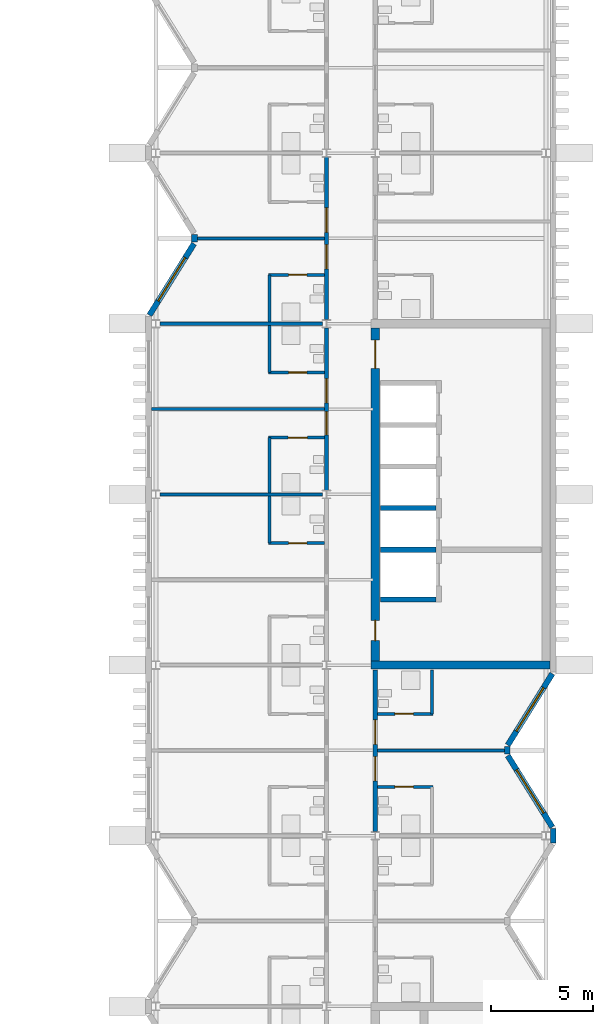
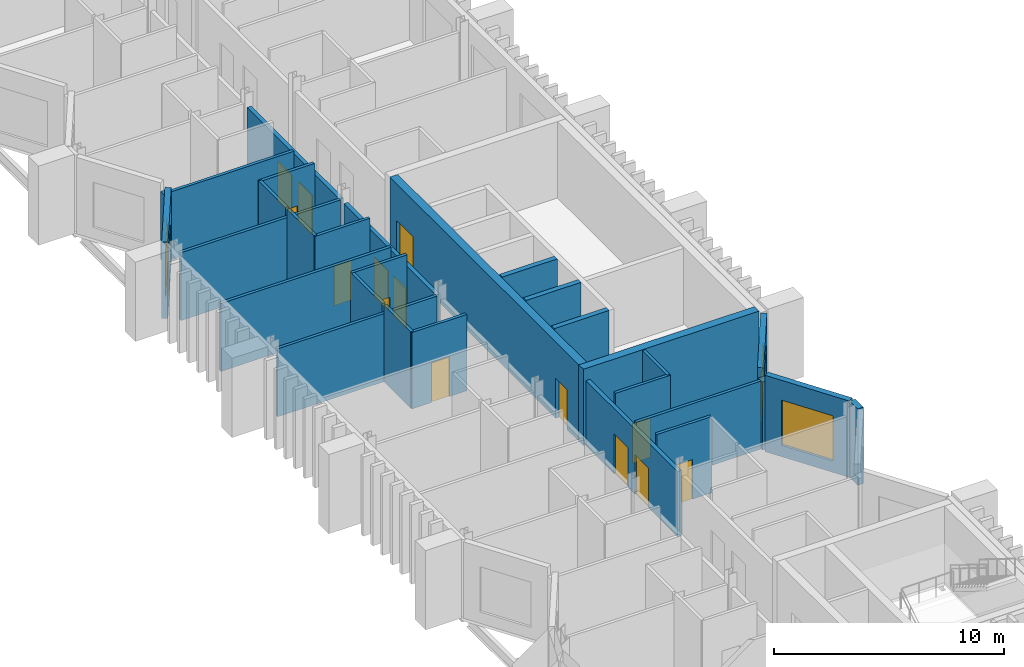
# One storey, part 11 of 17: 30 walls, 14 doors, 3 windows, 17 openings.
"""IFC4 building model written with IfcOpenShell, lengths in metres."""

from ifc_helpers import new_model, si_unit, direction, frame, frame_2d, origin, place, context, subcontext, project, spatial, rectangle, extrude, material, layer, layer_set, type_object, element, fill, save


model = new_model("IFC4")

# Units and contexts
model_context = context("Model", 3, precision=1e-05, world=origin(), true_north=direction((0.0, 1.0)))
body_context = subcontext(model_context, "Body", "Model", "MODEL_VIEW")
ifc_project = project(units=[si_unit("LENGTHUNIT", "METRE"), si_unit("AREAUNIT", "SQUARE_METRE"), si_unit("VOLUMEUNIT", "CUBIC_METRE"), si_unit("PLANEANGLEUNIT", "RADIAN"), si_unit("MASSUNIT", "GRAM", prefix="KILO")], contexts=[model_context])

# Site, building, storey
site_placement = place(None, origin())
site = spatial("IfcSite", under=ifc_project, at=site_placement, CompositionType="ELEMENT")
building_placement = place(site_placement, origin())
building = spatial("IfcBuilding", under=site, at=building_placement, Name="Cresset Court Congress Hotel", CompositionType="ELEMENT")
storey_placement = place(building_placement, frame((0.0, 0.0, 31.199951171875)))
storey = spatial("IfcBuildingStorey", under=building, at=storey_placement, Name="L07", CompositionType="ELEMENT", Elevation=31.199951171875)

# Wall, openings, doors
ifc_material_1 = material(Name="Gypsum board partition")
ifc_layer_1 = layer(ifc_material_1, 0.199951171875)
ifc_layer_set_1 = layer_set([ifc_layer_1], Name="Corridor wall 200")
wall_type_1 = type_object("IfcWallType", Name="Corridor wall 200", PredefinedType="PARTITIONING", material=ifc_layer_set_1)
wall_1_placement = place(storey_placement, frame((165.60009765625, 33.800048828125, 0.0), z_axis=(0.0, 0.0, 1.0), x_axis=(0.0, 1.0, 0.0)))
wall_1 = element("IfcWall", 1, at=wall_1_placement, inside=storey, type_object=wall_type_1, Name="A.wl.L07.074", PredefinedType="PARTITIONING", context=body_context, shape_type="SweptSolid", body=[
    extrude(rectangle(XDim=8.0, YDim=0.199951171875, at=frame_2d((4.0, 0.0))), origin(), (0.0, 0.0, 1.0), 3.449951171875),
])
opening_1_placement = place(wall_1_placement, frame((2.72509765625, 0.0, 0.0)))
opening_1 = element("IfcOpeningElement", 2, at=opening_1_placement, cuts=wall_1, Name="Opening DA-07-18", PredefinedType="OPENING", context=body_context, shape_type="SweptSolid", body=[
    extrude(rectangle(XDim=1.14990234375, YDim=2.10009765625, at=frame_2d((0.574951171875, 1.050048828125))), frame((0.0, 0.10986328125, 0.0), z_axis=(0.0, -1.0, 0.0), x_axis=(1.0, 0.0, 0.0)), (0.0, 0.0, 1.0), 0.219970703125),
])
opening_2_placement = place(wall_1_placement, frame((4.300048828125, 0.0, 0.0)))
opening_2 = element("IfcOpeningElement", 3, at=opening_2_placement, cuts=wall_1, Name="Opening DA-07-20", PredefinedType="OPENING", context=body_context, shape_type="SweptSolid", body=[
    extrude(rectangle(XDim=1.199951171875, YDim=2.10009765625, at=frame_2d((0.60009765625, 1.050048828125))), frame((0.0, 0.10986328125, 0.0), z_axis=(0.0, -1.0, 0.0), x_axis=(1.0, 0.0, 0.0)), (0.0, 0.0, 1.0), 0.219970703125),
])
ifc_material_2 = material(Name="timber", Category="wood")
door_type_1 = type_object("IfcDoorType", Name="Accessible guest-room entry door 1150x2100 FD30S", OperationType="SINGLE_SWING_LEFT", PredefinedType="DOOR", material=ifc_material_2)
door_1_placement = place(opening_1_placement, origin())
door_1 = element("IfcDoor", 4, at=door_1_placement, inside=storey, type_object=door_type_1, Name="Door DA-07-18", OperationType="SINGLE_SWING_RIGHT", OverallHeight=2.10009765625, OverallWidth=1.14990234375, PredefinedType="DOOR", context=body_context, shape_type="SweptSolid", body=[
    extrude(rectangle(XDim=1.14990234375, YDim=2.10009765625, at=frame_2d((0.574951171875, 1.050048828125))), frame((0.0, 0.02490234375, 0.0), z_axis=(0.0, -1.0, 0.0), x_axis=(1.0, 0.0, 0.0)), (0.0, 0.0, 1.0), 0.050048828125),
])
fill(opening_1, door_1)
ifc_material_3 = material(Name="timber", Category="wood")
door_type_2 = type_object("IfcDoorType", Name="Guest-room entry door 1200x2100 FD30S", OperationType="SINGLE_SWING_LEFT", PredefinedType="DOOR", material=ifc_material_3)
door_2_placement = place(opening_2_placement, origin())
door_2 = element("IfcDoor", 5, at=door_2_placement, inside=storey, type_object=door_type_2, Name="Door DA-07-20", OperationType="SINGLE_SWING_LEFT", OverallHeight=2.10009765625, OverallWidth=1.199951171875, PredefinedType="DOOR", context=body_context, shape_type="SweptSolid", body=[
    extrude(rectangle(XDim=1.199951171875, YDim=2.10009765625, at=frame_2d((0.60009765625, 1.050048828125))), frame((0.0, 0.02490234375, 0.0), z_axis=(0.0, -1.0, 0.0), x_axis=(1.0, 0.0, 0.0)), (0.0, 0.0, 1.0), 0.050048828125),
])
fill(opening_2, door_2)

wall_2_placement = place(storey_placement, frame((165.60009765625, 42.199951171875, 0.0), z_axis=(0.0, 0.0, 1.0), x_axis=(0.0, 1.0, 0.0)))
wall_2 = element("IfcWall", 6, at=wall_2_placement, inside=storey, type_object=wall_type_1, Name="A.wl.L07.075", PredefinedType="PARTITIONING", context=body_context, shape_type="SweptSolid", body=[
    extrude(rectangle(XDim=8.0, YDim=0.199951171875, at=frame_2d((4.0, 0.0))), origin(), (0.0, 0.0, 1.0), 3.449951171875),
])
opening_3_placement = place(wall_2_placement, frame((2.5, 0.0, 0.0)))
opening_3 = element("IfcOpeningElement", 7, at=opening_3_placement, cuts=wall_2, Name="Opening DA-07-22", PredefinedType="OPENING", context=body_context, shape_type="SweptSolid", body=[
    extrude(rectangle(XDim=1.199951171875, YDim=2.10009765625, at=frame_2d((0.60009765625, 1.050048828125))), frame((0.0, 0.10986328125, 0.0), z_axis=(0.0, -1.0, 0.0), x_axis=(1.0, 0.0, 0.0)), (0.0, 0.0, 1.0), 0.219970703125),
])
opening_4_placement = place(wall_2_placement, frame((4.300048828125, 0.0, 0.0)))
opening_4 = element("IfcOpeningElement", 8, at=opening_4_placement, cuts=wall_2, Name="Opening DA-07-24", PredefinedType="OPENING", context=body_context, shape_type="SweptSolid", body=[
    extrude(rectangle(XDim=1.199951171875, YDim=2.10009765625, at=frame_2d((0.60009765625, 1.050048828125))), frame((0.0, 0.10986328125, 0.0), z_axis=(0.0, -1.0, 0.0), x_axis=(1.0, 0.0, 0.0)), (0.0, 0.0, 1.0), 0.219970703125),
])
door_3_placement = place(opening_3_placement, origin())
door_3 = element("IfcDoor", 9, at=door_3_placement, inside=storey, type_object=door_type_2, Name="Door DA-07-22", OperationType="SINGLE_SWING_RIGHT", OverallHeight=2.10009765625, OverallWidth=1.199951171875, PredefinedType="DOOR", context=body_context, shape_type="SweptSolid", body=[
    extrude(rectangle(XDim=1.199951171875, YDim=2.10009765625, at=frame_2d((0.60009765625, 1.050048828125))), frame((0.0, 0.02490234375, 0.0), z_axis=(0.0, -1.0, 0.0), x_axis=(1.0, 0.0, 0.0)), (0.0, 0.0, 1.0), 0.050048828125),
])
fill(opening_3, door_3)
door_4_placement = place(opening_4_placement, origin())
door_4 = element("IfcDoor", 10, at=door_4_placement, inside=storey, type_object=door_type_2, Name="Door DA-07-24", OperationType="SINGLE_SWING_LEFT", OverallHeight=2.10009765625, OverallWidth=1.199951171875, PredefinedType="DOOR", context=body_context, shape_type="SweptSolid", body=[
    extrude(rectangle(XDim=1.199951171875, YDim=2.10009765625, at=frame_2d((0.60009765625, 1.050048828125))), frame((0.0, 0.02490234375, 0.0), z_axis=(0.0, -1.0, 0.0), x_axis=(1.0, 0.0, 0.0)), (0.0, 0.0, 1.0), 0.050048828125),
])
fill(opening_4, door_4)

wall_3_placement = place(storey_placement, frame((168.0, 17.0, 0.0), z_axis=(0.0, 0.0, 1.0), x_axis=(0.0, 1.0, 0.0)))
wall_3 = element("IfcWall", 11, at=wall_3_placement, inside=storey, type_object=wall_type_1, Name="A.wl.L07.079", PredefinedType="PARTITIONING", context=body_context, shape_type="SweptSolid", body=[
    extrude(rectangle(XDim=7.949951171875, YDim=0.199951171875, at=frame_2d((3.97509765625, 0.0))), origin(), (0.0, 0.0, 1.0), 3.449951171875),
])
opening_5_placement = place(wall_3_placement, frame((2.5, 0.0, 0.0)))
opening_5 = element("IfcOpeningElement", 12, at=opening_5_placement, cuts=wall_3, Name="Opening DA-07-38", PredefinedType="OPENING", context=body_context, shape_type="SweptSolid", body=[
    extrude(rectangle(XDim=1.199951171875, YDim=2.10009765625, at=frame_2d((0.60009765625, 1.050048828125))), frame((0.0, 0.10986328125, 0.0), z_axis=(0.0, -1.0, 0.0), x_axis=(1.0, 0.0, 0.0)), (0.0, 0.0, 1.0), 0.219970703125),
])
opening_6_placement = place(wall_3_placement, frame((4.300048828125, 0.0, 0.0)))
opening_6 = element("IfcOpeningElement", 13, at=opening_6_placement, cuts=wall_3, Name="Opening DA-07-40", PredefinedType="OPENING", context=body_context, shape_type="SweptSolid", body=[
    extrude(rectangle(XDim=1.199951171875, YDim=2.10009765625, at=frame_2d((0.60009765625, 1.050048828125))), frame((0.0, 0.10986328125, 0.0), z_axis=(0.0, -1.0, 0.0), x_axis=(1.0, 0.0, 0.0)), (0.0, 0.0, 1.0), 0.219970703125),
])
door_5_placement = place(opening_5_placement, origin())
door_5 = element("IfcDoor", 14, at=door_5_placement, inside=storey, type_object=door_type_2, Name="Door DA-07-38", OperationType="SINGLE_SWING_RIGHT", OverallHeight=2.10009765625, OverallWidth=1.199951171875, PredefinedType="DOOR", context=body_context, shape_type="SweptSolid", body=[
    extrude(rectangle(XDim=1.199951171875, YDim=2.10009765625, at=frame_2d((0.60009765625, 1.050048828125))), frame((0.0, 0.02490234375, 0.0), z_axis=(0.0, -1.0, 0.0), x_axis=(1.0, 0.0, 0.0)), (0.0, 0.0, 1.0), 0.050048828125),
])
fill(opening_5, door_5)
door_6_placement = place(opening_6_placement, origin())
door_6 = element("IfcDoor", 15, at=door_6_placement, inside=storey, type_object=door_type_2, Name="Door DA-07-40", OperationType="SINGLE_SWING_LEFT", OverallHeight=2.10009765625, OverallWidth=1.199951171875, PredefinedType="DOOR", context=body_context, shape_type="SweptSolid", body=[
    extrude(rectangle(XDim=1.199951171875, YDim=2.10009765625, at=frame_2d((0.60009765625, 1.050048828125))), frame((0.0, 0.02490234375, 0.0), z_axis=(0.0, -1.0, 0.0), x_axis=(1.0, 0.0, 0.0)), (0.0, 0.0, 1.0), 0.050048828125),
])
fill(opening_6, door_6)

# Wall
ifc_material_4 = material(Name="Gypsum board partition")
ifc_layer_2 = layer(ifc_material_4, 0.14990234375)
ifc_layer_set_2 = layer_set([ifc_layer_2], Name="En-suite wall 150")
wall_type_2 = type_object("IfcWallType", Name="En-suite wall 150", PredefinedType="PARTITIONING", material=ifc_layer_set_2)
wall_4_placement = place(storey_placement, frame((162.800048828125, 31.199951171875, 0.0), z_axis=(0.0, 0.0, 1.0), x_axis=(0.0, 1.0, 0.0)))
element("IfcWall", 16, at=wall_4_placement, inside=storey, type_object=wall_type_2, Name="A.wl.L07.015", PredefinedType="PARTITIONING", context=body_context, shape_type="SweptSolid", body=[
    extrude(rectangle(XDim=2.324951171875, YDim=0.14990234375, at=frame_2d((1.16259765625, 0.0))), origin(), (0.0, 0.0, 1.0), 4.050048828125),
])

# Wall, opening, door
wall_5_placement = place(storey_placement, frame((162.75, 31.199951171875, 0.0), z_axis=(0.0, 0.0, 1.0), x_axis=(1.0, 0.0, 0.0)))
wall_5 = element("IfcWall", 17, at=wall_5_placement, inside=storey, type_object=wall_type_2, Name="A.wl.L07.016", PredefinedType="PARTITIONING", context=body_context, shape_type="SweptSolid", body=[
    extrude(rectangle(XDim=2.75, YDim=0.14990234375, at=frame_2d((1.375, 0.0))), origin(), (0.0, 0.0, 1.0), 4.050048828125),
])
opening_7_placement = place(wall_5_placement, frame((0.97998046875, 0.0, 0.0)))
opening_7 = element("IfcOpeningElement", 18, at=opening_7_placement, cuts=wall_5, Name="Opening DA-07-15", PredefinedType="OPENING", context=body_context, shape_type="SweptSolid", body=[
    extrude(rectangle(XDim=0.89990234375, YDim=2.10009765625, at=frame_2d((0.449951171875, 1.050048828125))), frame((0.0, 0.0849609375, 0.0), z_axis=(0.0, -1.0, 0.0), x_axis=(1.0, 0.0, 0.0)), (0.0, 0.0, 1.0), 0.169921875),
])
ifc_material_5 = material(Name="timber", Category="wood")
door_type_3 = type_object("IfcDoorType", Name="En-suite door 900x2100", OperationType="SINGLE_SWING_LEFT", PredefinedType="DOOR", material=ifc_material_5)
door_7_placement = place(opening_7_placement, origin())
door_7 = element("IfcDoor", 19, at=door_7_placement, inside=storey, type_object=door_type_3, Name="Door DA-07-15", OperationType="SINGLE_SWING_LEFT", OverallHeight=2.10009765625, OverallWidth=0.89990234375, PredefinedType="DOOR", context=body_context, shape_type="SweptSolid", body=[
    extrude(rectangle(XDim=0.89990234375, YDim=2.10009765625, at=frame_2d((0.449951171875, 1.050048828125))), frame((0.0, 0.02490234375, 0.0), z_axis=(0.0, -1.0, 0.0), x_axis=(1.0, 0.0, 0.0)), (0.0, 0.0, 1.0), 0.050048828125),
])
fill(opening_7, door_7)

# Wall
wall_6_placement = place(storey_placement, frame((162.800048828125, 33.675048828125, 0.0), z_axis=(0.0, 0.0, 1.0), x_axis=(0.0, 1.0, 0.0)))
element("IfcWall", 20, at=wall_6_placement, inside=storey, type_object=wall_type_2, Name="A.wl.L07.017", PredefinedType="PARTITIONING", context=body_context, shape_type="SweptSolid", body=[
    extrude(rectangle(XDim=2.724853515625, YDim=0.14990234375, at=frame_2d((1.3623046875, 0.0))), origin(), (0.0, 0.0, 1.0), 4.050048828125),
])

# Wall, opening, door
wall_7_placement = place(storey_placement, frame((162.75, 36.39990234375, 0.0), z_axis=(0.0, 0.0, 1.0), x_axis=(1.0, 0.0, 0.0)))
wall_7 = element("IfcWall", 21, at=wall_7_placement, inside=storey, type_object=wall_type_2, Name="A.wl.L07.018", PredefinedType="PARTITIONING", context=body_context, shape_type="SweptSolid", body=[
    extrude(rectangle(XDim=2.75, YDim=0.14990234375, at=frame_2d((1.375, 0.0))), origin(), (0.0, 0.0, 1.0), 4.050048828125),
])
opening_8_placement = place(wall_7_placement, frame((0.955078125, 0.0, 0.0)))
opening_8 = element("IfcOpeningElement", 22, at=opening_8_placement, cuts=wall_7, Name="Opening DA-07-17", PredefinedType="OPENING", context=body_context, shape_type="SweptSolid", body=[
    extrude(rectangle(XDim=0.949951171875, YDim=2.10009765625, at=frame_2d((0.47509765625, 1.050048828125))), frame((0.0, 0.0849609375, 0.0), z_axis=(0.0, -1.0, 0.0), x_axis=(1.0, 0.0, 0.0)), (0.0, 0.0, 1.0), 0.169921875),
])
ifc_material_6 = material(Name="timber", Category="wood")
door_type_4 = type_object("IfcDoorType", Name="Accessible en-suite door 950x2100", OperationType="SINGLE_SWING_LEFT", PredefinedType="DOOR", material=ifc_material_6)
door_8_placement = place(opening_8_placement, origin())
door_8 = element("IfcDoor", 23, at=door_8_placement, inside=storey, type_object=door_type_4, Name="Door DA-07-17", OperationType="SINGLE_SWING_RIGHT", OverallHeight=2.10009765625, OverallWidth=0.949951171875, PredefinedType="DOOR", context=body_context, shape_type="SweptSolid", body=[
    extrude(rectangle(XDim=0.949951171875, YDim=2.10009765625, at=frame_2d((0.47509765625, 1.050048828125))), frame((0.0, 0.02490234375, 0.0), z_axis=(0.0, -1.0, 0.0), x_axis=(1.0, 0.0, 0.0)), (0.0, 0.0, 1.0), 0.050048828125),
])
fill(opening_8, door_8)

# Wall
wall_8_placement = place(storey_placement, frame((162.800048828125, 39.60009765625, 0.0), z_axis=(0.0, 0.0, 1.0), x_axis=(0.0, 1.0, 0.0)))
element("IfcWall", 24, at=wall_8_placement, inside=storey, type_object=wall_type_2, Name="A.wl.L07.019", PredefinedType="PARTITIONING", context=body_context, shape_type="SweptSolid", body=[
    extrude(rectangle(XDim=2.324951171875, YDim=0.14990234375, at=frame_2d((1.16259765625, 0.0))), origin(), (0.0, 0.0, 1.0), 4.050048828125),
])

# Wall, opening, door
wall_9_placement = place(storey_placement, frame((162.75, 39.60009765625, 0.0), z_axis=(0.0, 0.0, 1.0), x_axis=(1.0, 0.0, 0.0)))
wall_9 = element("IfcWall", 25, at=wall_9_placement, inside=storey, type_object=wall_type_2, Name="A.wl.L07.020", PredefinedType="PARTITIONING", context=body_context, shape_type="SweptSolid", body=[
    extrude(rectangle(XDim=2.75, YDim=0.14990234375, at=frame_2d((1.375, 0.0))), origin(), (0.0, 0.0, 1.0), 4.050048828125),
])
opening_9_placement = place(wall_9_placement, frame((0.97998046875, 0.0, 0.0)))
opening_9 = element("IfcOpeningElement", 26, at=opening_9_placement, cuts=wall_9, Name="Opening DA-07-19", PredefinedType="OPENING", context=body_context, shape_type="SweptSolid", body=[
    extrude(rectangle(XDim=0.89990234375, YDim=2.10009765625, at=frame_2d((0.449951171875, 1.050048828125))), frame((0.0, 0.0849609375, 0.0), z_axis=(0.0, -1.0, 0.0), x_axis=(1.0, 0.0, 0.0)), (0.0, 0.0, 1.0), 0.169921875),
])
door_9_placement = place(opening_9_placement, origin())
door_9 = element("IfcDoor", 27, at=door_9_placement, inside=storey, type_object=door_type_3, Name="Door DA-07-19", OperationType="SINGLE_SWING_LEFT", OverallHeight=2.10009765625, OverallWidth=0.89990234375, PredefinedType="DOOR", context=body_context, shape_type="SweptSolid", body=[
    extrude(rectangle(XDim=0.89990234375, YDim=2.10009765625, at=frame_2d((0.449951171875, 1.050048828125))), frame((0.0, 0.02490234375, 0.0), z_axis=(0.0, -1.0, 0.0), x_axis=(1.0, 0.0, 0.0)), (0.0, 0.0, 1.0), 0.050048828125),
])
fill(opening_9, door_9)

# Wall
wall_10_placement = place(storey_placement, frame((162.800048828125, 42.074951171875, 0.0), z_axis=(0.0, 0.0, 1.0), x_axis=(0.0, 1.0, 0.0)))
element("IfcWall", 28, at=wall_10_placement, inside=storey, type_object=wall_type_2, Name="A.wl.L07.021", PredefinedType="PARTITIONING", context=body_context, shape_type="SweptSolid", body=[
    extrude(rectangle(XDim=2.324951171875, YDim=0.14990234375, at=frame_2d((1.16259765625, 0.0))), origin(), (0.0, 0.0, 1.0), 4.050048828125),
])

# Wall, opening, door
wall_11_placement = place(storey_placement, frame((162.75, 44.39990234375, 0.0), z_axis=(0.0, 0.0, 1.0), x_axis=(1.0, 0.0, 0.0)))
wall_11 = element("IfcWall", 29, at=wall_11_placement, inside=storey, type_object=wall_type_2, Name="A.wl.L07.022", PredefinedType="PARTITIONING", context=body_context, shape_type="SweptSolid", body=[
    extrude(rectangle(XDim=2.75, YDim=0.14990234375, at=frame_2d((1.375, 0.0))), origin(), (0.0, 0.0, 1.0), 4.050048828125),
])
opening_10_placement = place(wall_11_placement, frame((0.97998046875, 0.0, 0.0)))
opening_10 = element("IfcOpeningElement", 30, at=opening_10_placement, cuts=wall_11, Name="Opening DA-07-21", PredefinedType="OPENING", context=body_context, shape_type="SweptSolid", body=[
    extrude(rectangle(XDim=0.89990234375, YDim=2.10009765625, at=frame_2d((0.449951171875, 1.050048828125))), frame((0.0, 0.0849609375, 0.0), z_axis=(0.0, -1.0, 0.0), x_axis=(1.0, 0.0, 0.0)), (0.0, 0.0, 1.0), 0.169921875),
])
door_10_placement = place(opening_10_placement, origin())
door_10 = element("IfcDoor", 31, at=door_10_placement, inside=storey, type_object=door_type_3, Name="Door DA-07-21", OperationType="SINGLE_SWING_RIGHT", OverallHeight=2.10009765625, OverallWidth=0.89990234375, PredefinedType="DOOR", context=body_context, shape_type="SweptSolid", body=[
    extrude(rectangle(XDim=0.89990234375, YDim=2.10009765625, at=frame_2d((0.449951171875, 1.050048828125))), frame((0.0, 0.02490234375, 0.0), z_axis=(0.0, -1.0, 0.0), x_axis=(1.0, 0.0, 0.0)), (0.0, 0.0, 1.0), 0.050048828125),
])
fill(opening_10, door_10)

wall_12_placement = place(storey_placement, frame((170.85009765625, 19.199951171875, 0.0), z_axis=(0.0, 0.0, 1.0), x_axis=(-1.0, 0.0, 0.0)))
wall_12 = element("IfcWall", 32, at=wall_12_placement, inside=storey, type_object=wall_type_2, Name="A.wl.L07.038", PredefinedType="PARTITIONING", context=body_context, shape_type="SweptSolid", body=[
    extrude(rectangle(XDim=2.75, YDim=0.14990234375, at=frame_2d((1.375, 0.0))), origin(), (0.0, 0.0, 1.0), 4.050048828125),
])
opening_11_placement = place(wall_12_placement, frame((0.97998046875, 0.0, 0.0)))
opening_11 = element("IfcOpeningElement", 33, at=opening_11_placement, cuts=wall_12, Name="Opening DA-07-37", PredefinedType="OPENING", context=body_context, shape_type="SweptSolid", body=[
    extrude(rectangle(XDim=0.89990234375, YDim=2.10009765625, at=frame_2d((0.449951171875, 1.050048828125))), frame((0.0, 0.0849609375, 0.0), z_axis=(0.0, -1.0, 0.0), x_axis=(1.0, 0.0, 0.0)), (0.0, 0.0, 1.0), 0.169921875),
])
door_11_placement = place(opening_11_placement, origin())
door_11 = element("IfcDoor", 34, at=door_11_placement, inside=storey, type_object=door_type_3, Name="Door DA-07-37", OperationType="SINGLE_SWING_RIGHT", OverallHeight=2.10009765625, OverallWidth=0.89990234375, PredefinedType="DOOR", context=body_context, shape_type="SweptSolid", body=[
    extrude(rectangle(XDim=0.89990234375, YDim=2.10009765625, at=frame_2d((0.449951171875, 1.050048828125))), frame((0.0, 0.02490234375, 0.0), z_axis=(0.0, -1.0, 0.0), x_axis=(1.0, 0.0, 0.0)), (0.0, 0.0, 1.0), 0.050048828125),
])
fill(opening_11, door_11)

# Wall
wall_13_placement = place(storey_placement, frame((170.800048828125, 22.800048828125, 0.0), z_axis=(0.0, 0.0, 1.0), x_axis=(0.0, 1.0, 0.0)))
element("IfcWall", 35, at=wall_13_placement, inside=storey, type_object=wall_type_2, Name="A.wl.L07.039", PredefinedType="PARTITIONING", context=body_context, shape_type="SweptSolid", body=[
    extrude(rectangle(XDim=2.14990234375, YDim=0.14990234375, at=frame_2d((1.074951171875, 0.0))), origin(), (0.0, 0.0, 1.0), 4.050048828125),
])

# Wall, opening, door
wall_14_placement = place(storey_placement, frame((170.85009765625, 22.800048828125, 0.0), z_axis=(0.0, 0.0, 1.0), x_axis=(-1.0, 0.0, 0.0)))
wall_14 = element("IfcWall", 36, at=wall_14_placement, inside=storey, type_object=wall_type_2, Name="A.wl.L07.040", PredefinedType="PARTITIONING", context=body_context, shape_type="SweptSolid", body=[
    extrude(rectangle(XDim=2.75, YDim=0.14990234375, at=frame_2d((1.375, 0.0))), origin(), (0.0, 0.0, 1.0), 4.050048828125),
])
opening_12_placement = place(wall_14_placement, frame((0.97998046875, 0.0, 0.0)))
opening_12 = element("IfcOpeningElement", 37, at=opening_12_placement, cuts=wall_14, Name="Opening DA-07-39", PredefinedType="OPENING", context=body_context, shape_type="SweptSolid", body=[
    extrude(rectangle(XDim=0.89990234375, YDim=2.10009765625, at=frame_2d((0.449951171875, 1.050048828125))), frame((0.0, 0.0849609375, 0.0), z_axis=(0.0, -1.0, 0.0), x_axis=(1.0, 0.0, 0.0)), (0.0, 0.0, 1.0), 0.169921875),
])
door_12_placement = place(opening_12_placement, origin())
door_12 = element("IfcDoor", 38, at=door_12_placement, inside=storey, type_object=door_type_3, Name="Door DA-07-39", OperationType="SINGLE_SWING_LEFT", OverallHeight=2.10009765625, OverallWidth=0.89990234375, PredefinedType="DOOR", context=body_context, shape_type="SweptSolid", body=[
    extrude(rectangle(XDim=0.89990234375, YDim=2.10009765625, at=frame_2d((0.449951171875, 1.050048828125))), frame((0.0, 0.02490234375, 0.0), z_axis=(0.0, -1.0, 0.0), x_axis=(1.0, 0.0, 0.0)), (0.0, 0.0, 1.0), 0.050048828125),
])
fill(opening_12, door_12)

# Wall, opening, window
ifc_material_7 = material(Name="Precast concrete C50", Category="concrete")
ifc_layer_3 = layer(ifc_material_7, 0.280029296875)
ifc_layer_set_3 = layer_set([ifc_layer_3], Name="External wall 280")
wall_type_3 = type_object("IfcWallType", Name="External wall 280", PredefinedType="SOLIDWALL", material=ifc_layer_set_3)
wall_15_placement = place(storey_placement, frame((156.88623046875, 42.424072265625, 0.0), z_axis=(0.0, 0.0, 1.0), x_axis=(0.529018946142, 0.848610013271, 0.0)))
wall_15 = element("IfcWall", 39, at=wall_15_placement, inside=storey, type_object=wall_type_3, Name="A.ew.L07.Wn.5.0", PredefinedType="SOLIDWALL", context=body_context, shape_type="SweptSolid", body=[
    extrude(rectangle(XDim=4.144287109375, YDim=0.280029296875, at=frame_2d((2.072265625, 0.0))), origin(), (0.0, 0.0, 1.0), 4.050048828125),
])
opening_13_placement = place(wall_15_placement, frame((0.812255859375, 0.0, 0.60009765625)))
opening_13 = element("IfcOpeningElement", 40, at=opening_13_placement, cuts=wall_15, Name="Opening NA-07-11", PredefinedType="OPENING", context=body_context, shape_type="SweptSolid", body=[
    extrude(rectangle(XDim=2.52001953125, YDim=2.39990234375, at=frame_2d((1.260009765625, 1.199951171875))), frame((0.0, 0.14990234375, 0.0), z_axis=(0.0, -1.0, 0.0), x_axis=(1.0, 0.0, 0.0)), (0.0, 0.0, 1.0), 0.300048828125),
])
ifc_material_8 = material(Name="Aluminium and glass", Category="aluminium")
window_type = type_object("IfcWindowType", Name="Window 2520x2400", PartitioningType="SINGLE_PANEL", PredefinedType="WINDOW", material=ifc_material_8)
window_1_placement = place(opening_13_placement, origin())
window_1 = element("IfcWindow", 41, at=window_1_placement, inside=storey, type_object=window_type, Name="Window NA-07-11", OverallHeight=2.39990234375, OverallWidth=2.52001953125, PartitioningType="SINGLE_PANEL", PredefinedType="WINDOW", context=body_context, shape_type="SweptSolid", body=[
    extrude(rectangle(XDim=2.52001953125, YDim=2.39990234375, at=frame_2d((1.260009765625, 1.199951171875))), frame((0.0, 0.030029296875, 0.0), z_axis=(0.0, -1.0, 0.0), x_axis=(1.0, 0.0, 0.0)), (0.0, 0.0, 1.0), 0.06005859375),
])
fill(opening_13, window_1)

# Walls
wall_16_placement = place(storey_placement, frame((159.099609375, 46.01513671875, 0.0), z_axis=(0.0, 0.0, 1.0), x_axis=(0.0, 1.0, 0.0)))
element("IfcWall", 42, at=wall_16_placement, inside=storey, type_object=wall_type_3, Name="A.ew.L07.Wn.5.2", PredefinedType="SOLIDWALL", context=body_context, shape_type="SweptSolid", body=[
    extrude(rectangle(XDim=0.369873046875, YDim=0.280029296875, at=frame_2d((0.18505859375, 0.0))), origin(), (0.0, 0.0, 1.0), 3.60400390625),
])
wall_17_placement = place(storey_placement, frame((176.760009765625, 16.449951171875, 0.0), z_axis=(0.0, 0.0, 1.0), x_axis=(0.0, 1.0, 0.0)))
element("IfcWall", 43, at=wall_17_placement, inside=storey, type_object=wall_type_3, Name="A.ew.L07.E.2", PredefinedType="SOLIDWALL", context=body_context, shape_type="SweptSolid", body=[
    extrude(rectangle(XDim=0.699951171875, YDim=0.280029296875, at=frame_2d((0.35009765625, 0.0))), origin(), (0.0, 0.0, 1.0), 4.050048828125),
])

# Wall, opening, window
wall_18_placement = place(storey_placement, frame((176.7138671875, 17.22412109375, 0.0), z_axis=(0.0, 0.0, 1.0), x_axis=(-0.529018946142, 0.848610013271, 0.0)))
wall_18 = element("IfcWall", 44, at=wall_18_placement, inside=storey, type_object=wall_type_3, Name="A.ew.L07.En.2.0", PredefinedType="SOLIDWALL", context=body_context, shape_type="SweptSolid", body=[
    extrude(rectangle(XDim=4.144287109375, YDim=0.280029296875, at=frame_2d((2.072265625, 0.0))), origin(), (0.0, 0.0, 1.0), 4.050048828125),
])
opening_14_placement = place(wall_18_placement, frame((0.81201171875, 0.0, 0.60009765625)))
opening_14 = element("IfcOpeningElement", 45, at=opening_14_placement, cuts=wall_18, Name="Opening NA-07-19", PredefinedType="OPENING", context=body_context, shape_type="SweptSolid", body=[
    extrude(rectangle(XDim=2.52001953125, YDim=2.39990234375, at=frame_2d((1.260009765625, 1.199951171875))), frame((0.0, 0.14990234375, 0.0), z_axis=(0.0, -1.0, 0.0), x_axis=(1.0, 0.0, 0.0)), (0.0, 0.0, 1.0), 0.300048828125),
])
window_2_placement = place(opening_14_placement, origin())
window_2 = element("IfcWindow", 46, at=window_2_placement, inside=storey, type_object=window_type, Name="Window NA-07-19", OverallHeight=2.39990234375, OverallWidth=2.52001953125, PartitioningType="SINGLE_PANEL", PredefinedType="WINDOW", context=body_context, shape_type="SweptSolid", body=[
    extrude(rectangle(XDim=2.52001953125, YDim=2.39990234375, at=frame_2d((1.260009765625, 1.199951171875))), frame((0.0, 0.030029296875, 0.0), z_axis=(0.0, -1.0, 0.0), x_axis=(1.0, 0.0, 0.0)), (0.0, 0.0, 1.0), 0.06005859375),
])
fill(opening_14, window_2)

wall_19_placement = place(storey_placement, frame((174.521484375, 21.259033203125, 0.0), z_axis=(0.0, 0.0, 1.0), x_axis=(0.529018946142, 0.848610013271, 0.0)))
wall_19 = element("IfcWall", 47, at=wall_19_placement, inside=storey, type_object=wall_type_3, Name="A.ew.L07.En.2.1", PredefinedType="SOLIDWALL", context=body_context, shape_type="SweptSolid", body=[
    extrude(rectangle(XDim=4.144287109375, YDim=0.280029296875, at=frame_2d((2.072265625, 0.0))), origin(), (0.0, 0.0, 1.0), 4.050048828125),
])
opening_15_placement = place(wall_19_placement, frame((0.81201171875, 0.0, 0.60009765625)))
opening_15 = element("IfcOpeningElement", 48, at=opening_15_placement, cuts=wall_19, Name="Opening NA-07-20", PredefinedType="OPENING", context=body_context, shape_type="SweptSolid", body=[
    extrude(rectangle(XDim=2.52001953125, YDim=2.39990234375, at=frame_2d((1.260009765625, 1.199951171875))), frame((0.0, 0.14990234375, 0.0), z_axis=(0.0, -1.0, 0.0), x_axis=(1.0, 0.0, 0.0)), (0.0, 0.0, 1.0), 0.300048828125),
])
window_3_placement = place(opening_15_placement, origin())
window_3 = element("IfcWindow", 49, at=window_3_placement, inside=storey, type_object=window_type, Name="Window NA-07-20", OverallHeight=2.39990234375, OverallWidth=2.52001953125, PartitioningType="SINGLE_PANEL", PredefinedType="WINDOW", context=body_context, shape_type="SweptSolid", body=[
    extrude(rectangle(XDim=2.52001953125, YDim=2.39990234375, at=frame_2d((1.260009765625, 1.199951171875))), frame((0.0, 0.030029296875, 0.0), z_axis=(0.0, -1.0, 0.0), x_axis=(1.0, 0.0, 0.0)), (0.0, 0.0, 1.0), 0.06005859375),
])
fill(opening_15, window_3)

# Walls
wall_20_placement = place(storey_placement, frame((174.500244140625, 20.815185546875, 0.0), z_axis=(0.0, 0.0, 1.0), x_axis=(0.0, 1.0, 0.0)))
element("IfcWall", 50, at=wall_20_placement, inside=storey, type_object=wall_type_3, Name="A.ew.L07.En.2.2", PredefinedType="SOLIDWALL", context=body_context, shape_type="SweptSolid", body=[
    extrude(rectangle(XDim=0.36962890625, YDim=0.280029296875, at=frame_2d((0.184814453125, 0.0))), origin(), (0.0, 0.0, 1.0), 3.60400390625),
])
ifc_material_9 = material(Name="Gypsum board partition")
ifc_layer_4 = layer(ifc_material_9, 0.14990234375)
ifc_layer_set_4 = layer_set([ifc_layer_4], Name="Guest-room partition 150")
wall_type_4 = type_object("IfcWallType", Name="Guest-room partition 150", PredefinedType="PARTITIONING", material=ifc_layer_set_4)
for number, where, z_axis, x_axis, name in (
    (51, (157.39990234375, 33.60009765625, 0.0), (0.0, 0.0, 1.0), (1.0, 0.0, 0.0), "A.wl.L07.052"),
    (52, (157.39990234375, 42.0, 0.0), (0.0, 0.0, 1.0), (1.0, 0.0, 0.0), "A.wl.L07.053"),
):
    element("IfcWall", number, at=place(storey_placement, frame(where, z_axis=z_axis, x_axis=x_axis)), inside=storey, type_object=wall_type_4, Name=name, PredefinedType="PARTITIONING", context=body_context, shape_type="SweptSolid", body=[
        extrude(rectangle(XDim=8.0, YDim=0.14990234375, at=frame_2d((4.0, 0.0))), origin(), (0.0, 0.0, 1.0), 3.60400390625),
    ])
wall_21_placement = place(storey_placement, frame((156.97998046875, 37.800048828125, 0.0), z_axis=(0.0, 0.0, 1.0), x_axis=(1.0, 0.0, 0.0)))
element("IfcWall", 53, at=wall_21_placement, inside=storey, type_object=wall_type_4, Name="A.wl.L07.062", PredefinedType="PARTITIONING", context=body_context, shape_type="SweptSolid", body=[
    extrude(rectangle(XDim=8.52001953125, YDim=0.14990234375, at=frame_2d((4.260009765625, 0.0))), origin(), (0.0, 0.0, 1.0), 3.60400390625),
])
for number, where, z_axis, x_axis, name in (
    (54, (159.23974609375, 46.199951171875, 0.0), (0.0, 0.0, 1.0), (1.0, 0.0, 0.0), "A.wl.L07.063"),
    (55, (168.10009765625, 21.0, 0.0), (0.0, 0.0, 1.0), (1.0, 0.0, 0.0), "A.wl.L07.067"),
):
    element("IfcWall", number, at=place(storey_placement, frame(where, z_axis=z_axis, x_axis=x_axis)), inside=storey, type_object=wall_type_4, Name=name, PredefinedType="PARTITIONING", context=body_context, shape_type="SweptSolid", body=[
        extrude(rectangle(XDim=6.26025390625, YDim=0.14990234375, at=frame_2d((3.130126953125, 0.0))), origin(), (0.0, 0.0, 1.0), 3.60400390625),
    ])
ifc_material_10 = material(Name="Concrete C50", Category="concrete")
ifc_layer_5 = layer(ifc_material_10, 0.39990234375)
ifc_layer_set_5 = layer_set([ifc_layer_5], Name="Lift core wall 400")
wall_type_5 = type_object("IfcWallType", Name="Lift core wall 400", PredefinedType="SOLIDWALL", material=ifc_layer_set_5)
wall_22_placement = place(storey_placement, frame((167.800048828125, 25.199951171875, 0.0), z_axis=(0.0, 0.0, 1.0), x_axis=(1.0, 0.0, 0.0)))
element("IfcWall", 56, at=wall_22_placement, inside=storey, type_object=wall_type_5, Name="A.cw.LC-A.L07.S", PredefinedType="SOLIDWALL", context=body_context, shape_type="SweptSolid", body=[
    extrude(rectangle(XDim=8.800048828125, YDim=0.39990234375, at=frame_2d((4.39990234375, 0.0))), origin(), (0.0, 0.0, 1.0), 4.050048828125),
])

# Wall, openings, doors
wall_23_placement = place(storey_placement, frame((168.0, 25.39990234375, 0.0), z_axis=(0.0, 0.0, 1.0), x_axis=(0.0, 1.0, 0.0)))
wall_23 = element("IfcWall", 57, at=wall_23_placement, inside=storey, type_object=wall_type_5, Name="A.cw.LC-A.L07.W", PredefinedType="SOLIDWALL", context=body_context, shape_type="SweptSolid", body=[
    extrude(rectangle(XDim=16.400146484375, YDim=0.39990234375, at=frame_2d((8.2001953125, 0.0))), origin(), (0.0, 0.0, 1.0), 4.050048828125),
])
opening_16_placement = place(wall_23_placement, frame((1.0, 0.0, 0.0)))
opening_16 = element("IfcOpeningElement", 58, at=opening_16_placement, cuts=wall_23, Name="Opening DA-07-60", PredefinedType="OPENING", context=body_context, shape_type="SweptSolid", body=[
    extrude(rectangle(XDim=1.0, YDim=2.10009765625, at=frame_2d((0.5, 1.050048828125))), frame((0.0, 0.2099609375, 0.0), z_axis=(0.0, -1.0, 0.0), x_axis=(1.0, 0.0, 0.0)), (0.0, 0.0, 1.0), 0.419921875),
])
opening_17_placement = place(wall_23_placement, frame((14.39990234375, 0.0, 0.0)))
opening_17 = element("IfcOpeningElement", 59, at=opening_17_placement, cuts=wall_23, Name="Opening DA-07-61", PredefinedType="OPENING", context=body_context, shape_type="SweptSolid", body=[
    extrude(rectangle(XDim=1.39990234375, YDim=2.10009765625, at=frame_2d((0.699951171875, 1.050048828125))), frame((0.0, 0.2099609375, 0.0), z_axis=(0.0, -1.0, 0.0), x_axis=(1.0, 0.0, 0.0)), (0.0, 0.0, 1.0), 0.419921875),
])
ifc_material_11 = material(Name="steel", Category="steel")
door_type_5 = type_object("IfcDoorType", Name="Lobby door 1000x2100 FD60", OperationType="SINGLE_SWING_LEFT", PredefinedType="DOOR", material=ifc_material_11)
door_13_placement = place(opening_16_placement, origin())
door_13 = element("IfcDoor", 60, at=door_13_placement, inside=storey, type_object=door_type_5, Name="Door DA-07-60", OperationType="SINGLE_SWING_RIGHT", OverallHeight=2.10009765625, OverallWidth=1.0, PredefinedType="DOOR", context=body_context, shape_type="SweptSolid", body=[
    extrude(rectangle(XDim=1.0, YDim=2.10009765625, at=frame_2d((0.5, 1.050048828125))), frame((0.0, 0.02490234375, 0.0), z_axis=(0.0, -1.0, 0.0), x_axis=(1.0, 0.0, 0.0)), (0.0, 0.0, 1.0), 0.050048828125),
])
fill(opening_16, door_13)
ifc_material_12 = material(Name="steel", Category="steel")
door_type_6 = type_object("IfcDoorType", Name="Lobby door 1400x2100 FD60", OperationType="DOUBLE_DOOR_DOUBLE_SWING", PredefinedType="DOOR", material=ifc_material_12)
door_14_placement = place(opening_17_placement, origin())
door_14 = element("IfcDoor", 61, at=door_14_placement, inside=storey, type_object=door_type_6, Name="Door DA-07-61", OperationType="DOUBLE_DOOR_DOUBLE_SWING", OverallHeight=2.10009765625, OverallWidth=1.39990234375, PredefinedType="DOOR", context=body_context, shape_type="SweptSolid", body=[
    extrude(rectangle(XDim=1.39990234375, YDim=2.10009765625, at=frame_2d((0.699951171875, 1.050048828125))), frame((0.0, 0.02490234375, 0.0), z_axis=(0.0, -1.0, 0.0), x_axis=(1.0, 0.0, 0.0)), (0.0, 0.0, 1.0), 0.050048828125),
])
fill(opening_17, door_14)

# Walls
ifc_material_13 = material(Name="Concrete C50", Category="concrete")
ifc_layer_6 = layer(ifc_material_13, 0.25)
ifc_layer_set_6 = layer_set([ifc_layer_6], Name="Lift shaft wall 250")
wall_type_6 = type_object("IfcWallType", Name="Lift shaft wall 250", PredefinedType="SOLIDWALL", material=ifc_layer_set_6)
for number, where, z_axis, x_axis, name in (
    (62, (168.25, 28.425048828125, 0.0), (0.0, 0.0, 1.0), (1.0, 0.0, 0.0), "A.wl.L07.087"),
    (63, (168.25, 30.875, 0.0), (0.0, 0.0, 1.0), (1.0, 0.0, 0.0), "A.wl.L07.088"),
    (64, (168.25, 32.925048828125, 0.0), (0.0, 0.0, 1.0), (1.0, 0.0, 0.0), "A.wl.L07.089"),
):
    element("IfcWall", number, at=place(storey_placement, frame(where, z_axis=z_axis, x_axis=x_axis)), inside=storey, type_object=wall_type_6, Name=name, PredefinedType="SOLIDWALL", context=body_context, shape_type="SweptSolid", body=[
        extrude(rectangle(XDim=2.75, YDim=0.25, at=frame_2d((1.375, 0.0))), origin(), (0.0, 0.0, 1.0), 4.050048828125),
    ])

save(model, "model.ifc")
